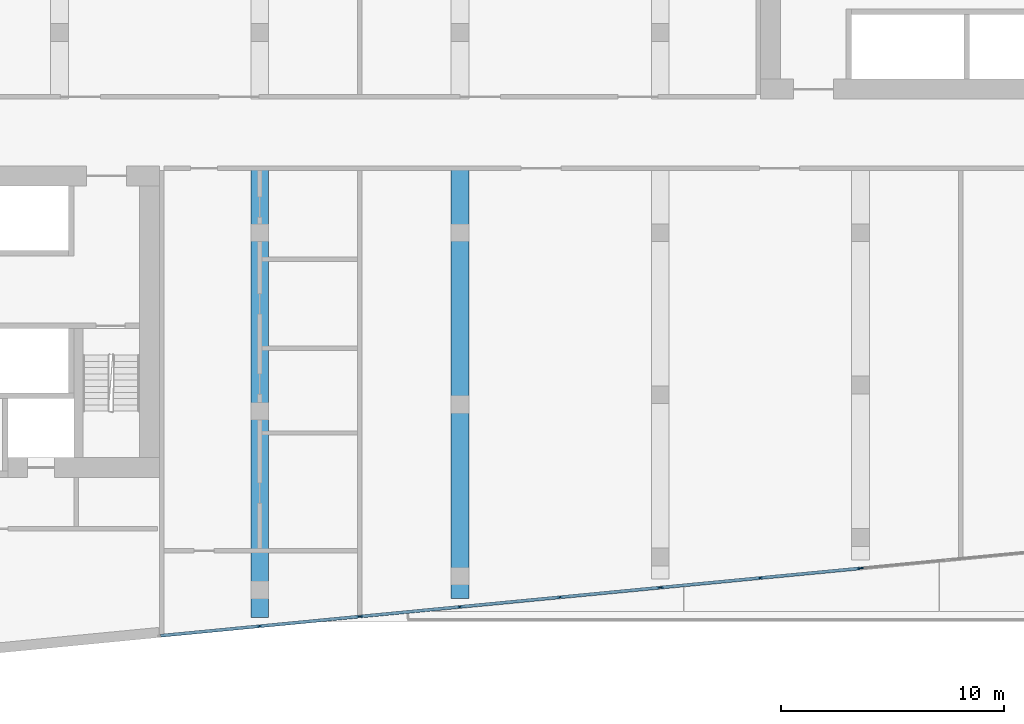
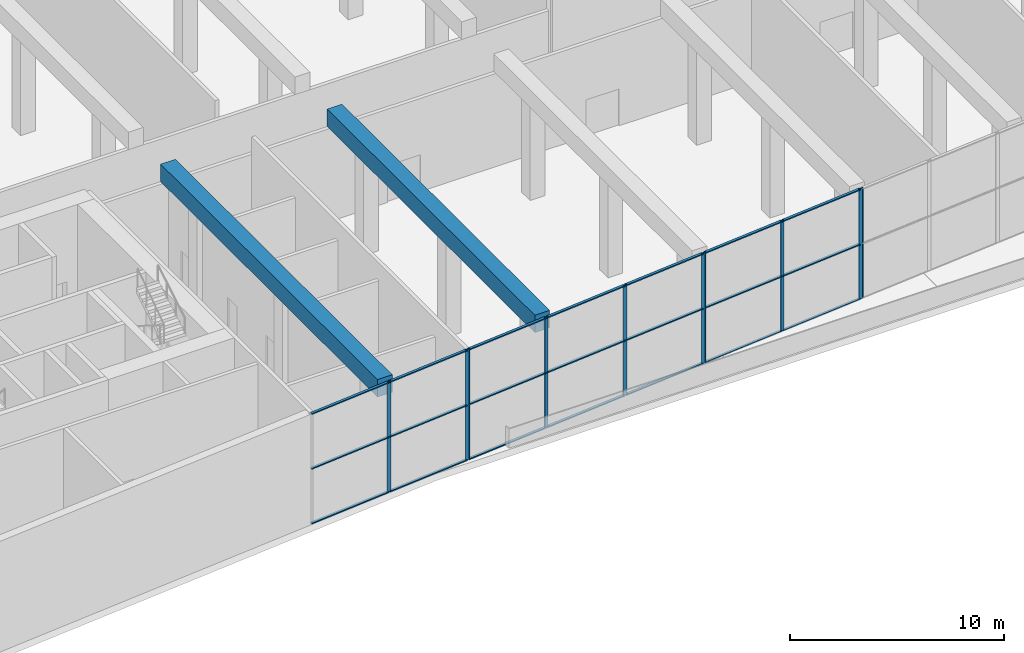
# One storey, part 3 of 25: 31 members, 2 beams, 4 elements without a shape of their own.
"""IFC4 building model written with IfcOpenShell, lengths in metres."""

from ifc_helpers import new_model, si_unit, direction, frame, origin, origin_2d, place, context, subcontext, project, spatial, rectangle, extrude, material, material_profile, profile_set, type_object, element, aggregate, save


model = new_model("IFC4")

# Units and contexts
model_context = context("Model", 3, precision=1e-05, world=origin(), true_north=direction((0.0, 1.0)))
body_context = subcontext(model_context, "Body", "Model", "MODEL_VIEW")
ifc_project = project(units=[si_unit("LENGTHUNIT", "METRE"), si_unit("AREAUNIT", "SQUARE_METRE"), si_unit("VOLUMEUNIT", "CUBIC_METRE"), si_unit("PLANEANGLEUNIT", "RADIAN"), si_unit("MASSUNIT", "GRAM", prefix="KILO")], contexts=[model_context])

# Site, building, storey
site_placement = place(None, origin())
site = spatial("IfcSite", under=ifc_project, at=site_placement, CompositionType="ELEMENT")
building_placement = place(site_placement, origin())
building = spatial("IfcBuilding", under=site, at=building_placement, Name="Kajstack Hotel Tower", CompositionType="ELEMENT")
storey_placement = place(building_placement, frame((0.0, 0.0, 104.199951171875)))
storey = spatial("IfcBuildingStorey", under=building, at=storey_placement, Name="L22", CompositionType="ELEMENT", Elevation=104.199951171875)

# Curtain wall, members
ifc_material_1 = material(Name="Aluminium-framed curtain wall, low-iron insulated glass", Category="aluminium")
curtain_wall_type = type_object("IfcCurtainWallType", Name="CW-GARDEN", PredefinedType="NOTDEFINED", material=ifc_material_1)
curtain_wall_1_placement = place(storey_placement, origin())
curtain_wall_1 = element("IfcCurtainWall", 1, at=curtain_wall_1_placement, inside=storey, type_object=curtain_wall_type, Name="Curtain wall CU6 L22-04-02-0", PredefinedType="NOTDEFINED")
ifc_material_2 = material(Name="Aluminium", Category="aluminium")
ifc_material_profile_1 = material_profile(ifc_material_2, rectangle(XDim=0.06005859375, YDim=0.199951171875, at=origin_2d()), Name="Aluminium mullion 60 x 200")
ifc_profile_set_1 = profile_set([ifc_material_profile_1], Name="Aluminium")
member_type_1 = type_object("IfcMemberType", Name="CW-M-GARDEN", PredefinedType="MULLION", material=ifc_profile_set_1)
member_1_placement = place(storey_placement, frame((-9.007080078125, -22.176513671875, 0.0), z_axis=(0.0, 0.0, 1.0), x_axis=(-0.095845530442, 0.995396219751, 0.0)))
member_1 = element("IfcMember", 2, at=member_1_placement, type_object=member_type_1, Name="CU6 mullion 2", PredefinedType="MULLION", context=body_context, shape_type="SweptSolid", body=[
    extrude(rectangle(XDim=0.06005859375, YDim=0.199951171875, at=origin_2d()), origin(), (0.0, 0.0, 1.0), 6.320068359375),
])
member_2_placement = place(storey_placement, frame((-4.537109375, -21.74609375, 0.0), z_axis=(0.0, 0.0, 1.0), x_axis=(-0.095845530442, 0.995396219751, 0.0)))
member_2 = element("IfcMember", 3, at=member_2_placement, type_object=member_type_1, Name="CU6 mullion 3", PredefinedType="MULLION", context=body_context, shape_type="SweptSolid", body=[
    extrude(rectangle(XDim=0.06005859375, YDim=0.199951171875, at=origin_2d()), origin(), (0.0, 0.0, 1.0), 6.320068359375),
])

curtain_wall_2_placement = place(storey_placement, origin())
curtain_wall_2 = element("IfcCurtainWall", 4, at=curtain_wall_2_placement, inside=storey, type_object=curtain_wall_type, Name="Curtain wall CU6 L22-04-02-1", PredefinedType="NOTDEFINED")
member_3_placement = place(storey_placement, frame((-4.477294921875, -21.740234375, 0.0), z_axis=(0.0, 0.0, 1.0), x_axis=(-0.095845577523, 0.995396215218, 0.0)))
member_3 = element("IfcMember", 5, at=member_3_placement, type_object=member_type_1, Name="CU6 mullion 1", PredefinedType="MULLION", context=body_context, shape_type="SweptSolid", body=[
    extrude(rectangle(XDim=0.06005859375, YDim=0.199951171875, at=origin_2d()), origin(), (0.0, 0.0, 1.0), 6.320068359375),
])
member_4_placement = place(storey_placement, frame((-0.00732421875, -21.309814453125, 0.0), z_axis=(0.0, 0.0, 1.0), x_axis=(-0.095845577523, 0.995396215218, 0.0)))
member_4 = element("IfcMember", 6, at=member_4_placement, type_object=member_type_1, Name="CU6 mullion 2", PredefinedType="MULLION", context=body_context, shape_type="SweptSolid", body=[
    extrude(rectangle(XDim=0.06005859375, YDim=0.199951171875, at=origin_2d()), origin(), (0.0, 0.0, 1.0), 6.320068359375),
])
member_5_placement = place(storey_placement, frame((4.49267578125, -20.876708984375, 0.0), z_axis=(0.0, 0.0, 1.0), x_axis=(-0.095845577523, 0.995396215218, 0.0)))
member_5 = element("IfcMember", 7, at=member_5_placement, type_object=member_type_1, Name="CU6 mullion 3", PredefinedType="MULLION", context=body_context, shape_type="SweptSolid", body=[
    extrude(rectangle(XDim=0.06005859375, YDim=0.199951171875, at=origin_2d()), origin(), (0.0, 0.0, 1.0), 6.320068359375),
])
member_6_placement = place(storey_placement, frame((8.962890625, -20.4462890625, 0.0), z_axis=(0.0, 0.0, 1.0), x_axis=(-0.095845577523, 0.995396215218, 0.0)))
member_6 = element("IfcMember", 8, at=member_6_placement, type_object=member_type_1, Name="CU6 mullion 4", PredefinedType="MULLION", context=body_context, shape_type="SweptSolid", body=[
    extrude(rectangle(XDim=0.06005859375, YDim=0.199951171875, at=origin_2d()), origin(), (0.0, 0.0, 1.0), 6.320068359375),
])

curtain_wall_3_placement = place(storey_placement, origin())
curtain_wall_3 = element("IfcCurtainWall", 9, at=curtain_wall_3_placement, inside=storey, type_object=curtain_wall_type, Name="Curtain wall CU6 L22-04-02-2", PredefinedType="NOTDEFINED")
member_7_placement = place(storey_placement, frame((9.022705078125, -20.4404296875, 0.0), z_axis=(0.0, 0.0, 1.0), x_axis=(-0.095845581657, 0.995396214819, 0.0)))
member_7 = element("IfcMember", 10, at=member_7_placement, type_object=member_type_1, Name="CU6 mullion 1", PredefinedType="MULLION", context=body_context, shape_type="SweptSolid", body=[
    extrude(rectangle(XDim=0.06005859375, YDim=0.199951171875, at=origin_2d()), origin(), (0.0, 0.0, 1.0), 6.320068359375),
])
member_8_placement = place(storey_placement, frame((13.492919921875, -20.010009765625, 0.0), z_axis=(0.0, 0.0, 1.0), x_axis=(-0.095845581657, 0.995396214819, 0.0)))
member_8 = element("IfcMember", 11, at=member_8_placement, type_object=member_type_1, Name="CU6 mullion 2", PredefinedType="MULLION", context=body_context, shape_type="SweptSolid", body=[
    extrude(rectangle(XDim=0.06005859375, YDim=0.199951171875, at=origin_2d()), origin(), (0.0, 0.0, 1.0), 6.320068359375),
])
member_9_placement = place(storey_placement, frame((17.962890625, -19.57958984375, 0.0), z_axis=(0.0, 0.0, 1.0), x_axis=(-0.095845581657, 0.995396214819, 0.0)))
member_9 = element("IfcMember", 12, at=member_9_placement, type_object=member_type_1, Name="CU6 mullion 3", PredefinedType="MULLION", context=body_context, shape_type="SweptSolid", body=[
    extrude(rectangle(XDim=0.06005859375, YDim=0.199951171875, at=origin_2d()), origin(), (0.0, 0.0, 1.0), 6.320068359375),
])

# Curtain wall, member
curtain_wall_4_placement = place(storey_placement, origin())
curtain_wall_4 = element("IfcCurtainWall", 13, at=curtain_wall_4_placement, inside=storey, type_object=curtain_wall_type, Name="Curtain wall CU6 L22-04-02-3", PredefinedType="NOTDEFINED")
member_10_placement = place(storey_placement, frame((18.022705078125, -19.57373046875, 0.0), z_axis=(0.0, 0.0, 1.0), x_axis=(-0.095845579329, 0.995396215044, 0.0)))
member_10 = element("IfcMember", 14, at=member_10_placement, type_object=member_type_1, Name="CU6 mullion 1", PredefinedType="MULLION", context=body_context, shape_type="SweptSolid", body=[
    extrude(rectangle(XDim=0.06005859375, YDim=0.199951171875, at=origin_2d()), origin(), (0.0, 0.0, 1.0), 6.320068359375),
])
aggregate(curtain_wall_4, [member_10])

# Member
ifc_material_profile_2 = material_profile(ifc_material_2, rectangle(XDim=0.139892578125, YDim=0.06005859375, at=origin_2d()), Name="Aluminium transom 140 x 60")
ifc_profile_set_2 = profile_set([ifc_material_profile_2], Name="Aluminium")
member_type_2 = type_object("IfcMemberType", Name="CW-T-GARDEN", PredefinedType="USERDEFINED", material=ifc_profile_set_2)
member_11_placement = place(storey_placement, frame((-13.447509765625, -22.60400390625, 0.030029296875), z_axis=(0.995398624916, 0.095820548504, 0.0), x_axis=(-0.095820548504, 0.995398624916, 0.0)))
member_11 = element("IfcMember", 15, at=member_11_placement, type_object=member_type_2, Name="CU6 transom 1.1", ObjectType="TRANSOM", PredefinedType="USERDEFINED", context=body_context, shape_type="SweptSolid", body=[
    extrude(rectangle(XDim=0.139892578125, YDim=0.06005859375, at=origin_2d()), origin(), (0.0, 0.0, 1.0), 4.430908203125),
])

member_12_placement = place(storey_placement, frame((-13.447509765625, -22.60400390625, 3.16015625), z_axis=(0.995398624916, 0.095820548504, 0.0), x_axis=(-0.095820548504, 0.995398624916, 0.0)))
member_12 = element("IfcMember", 16, at=member_12_placement, type_object=member_type_2, Name="CU6 transom 1.2", ObjectType="TRANSOM", PredefinedType="USERDEFINED", context=body_context, shape_type="SweptSolid", body=[
    extrude(rectangle(XDim=0.139892578125, YDim=0.06005859375, at=origin_2d()), origin(), (0.0, 0.0, 1.0), 4.430908203125),
])

member_13_placement = place(storey_placement, frame((-13.447509765625, -22.60400390625, 6.2900390625), z_axis=(0.995398624916, 0.095820548504, 0.0), x_axis=(-0.095820548504, 0.995398624916, 0.0)))
member_13 = element("IfcMember", 17, at=member_13_placement, type_object=member_type_2, Name="CU6 transom 1.3", ObjectType="TRANSOM", PredefinedType="USERDEFINED", context=body_context, shape_type="SweptSolid", body=[
    extrude(rectangle(XDim=0.139892578125, YDim=0.06005859375, at=origin_2d()), origin(), (0.0, 0.0, 1.0), 4.430908203125),
])

member_14_placement = place(storey_placement, frame((-8.977294921875, -22.173583984375, 0.030029296875), z_axis=(0.995398624916, 0.095820548504, 0.0), x_axis=(-0.095820548504, 0.995398624916, 0.0)))
member_14 = element("IfcMember", 18, at=member_14_placement, type_object=member_type_2, Name="CU6 transom 2.1", ObjectType="TRANSOM", PredefinedType="USERDEFINED", context=body_context, shape_type="SweptSolid", body=[
    extrude(rectangle(XDim=0.139892578125, YDim=0.06005859375, at=origin_2d()), origin(), (0.0, 0.0, 1.0), 4.430908203125),
])

member_15_placement = place(storey_placement, frame((-8.977294921875, -22.173583984375, 3.16015625), z_axis=(0.995398624916, 0.095820548504, 0.0), x_axis=(-0.095820548504, 0.995398624916, 0.0)))
member_15 = element("IfcMember", 19, at=member_15_placement, type_object=member_type_2, Name="CU6 transom 2.2", ObjectType="TRANSOM", PredefinedType="USERDEFINED", context=body_context, shape_type="SweptSolid", body=[
    extrude(rectangle(XDim=0.139892578125, YDim=0.06005859375, at=origin_2d()), origin(), (0.0, 0.0, 1.0), 4.430908203125),
])

member_16_placement = place(storey_placement, frame((-8.977294921875, -22.173583984375, 6.2900390625), z_axis=(0.995398624916, 0.095820548504, 0.0), x_axis=(-0.095820548504, 0.995398624916, 0.0)))
member_16 = element("IfcMember", 20, at=member_16_placement, type_object=member_type_2, Name="CU6 transom 2.3", ObjectType="TRANSOM", PredefinedType="USERDEFINED", context=body_context, shape_type="SweptSolid", body=[
    extrude(rectangle(XDim=0.139892578125, YDim=0.06005859375, at=origin_2d()), origin(), (0.0, 0.0, 1.0), 4.430908203125),
])

aggregate(curtain_wall_1, [member_1, member_2, member_11, member_12, member_13, member_14, member_15, member_16])

member_17_placement = place(storey_placement, frame((-4.447509765625, -21.737548828125, 0.030029296875), z_axis=(0.995393367938, 0.095875143106, 0.0), x_axis=(-0.095875143106, 0.995393367938, 0.0)))
member_17 = element("IfcMember", 21, at=member_17_placement, type_object=member_type_2, Name="CU6 transom 1.1", ObjectType="TRANSOM", PredefinedType="USERDEFINED", context=body_context, shape_type="SweptSolid", body=[
    extrude(rectangle(XDim=0.139892578125, YDim=0.06005859375, at=origin_2d()), origin(), (0.0, 0.0, 1.0), 4.430908203125),
])

member_18_placement = place(storey_placement, frame((-4.447509765625, -21.737548828125, 3.16015625), z_axis=(0.995393367938, 0.095875143106, 0.0), x_axis=(-0.095875143106, 0.995393367938, 0.0)))
member_18 = element("IfcMember", 22, at=member_18_placement, type_object=member_type_2, Name="CU6 transom 1.2", ObjectType="TRANSOM", PredefinedType="USERDEFINED", context=body_context, shape_type="SweptSolid", body=[
    extrude(rectangle(XDim=0.139892578125, YDim=0.06005859375, at=origin_2d()), origin(), (0.0, 0.0, 1.0), 4.430908203125),
])

member_19_placement = place(storey_placement, frame((-4.447509765625, -21.737548828125, 6.2900390625), z_axis=(0.995393367938, 0.095875143106, 0.0), x_axis=(-0.095875143106, 0.995393367938, 0.0)))
member_19 = element("IfcMember", 23, at=member_19_placement, type_object=member_type_2, Name="CU6 transom 1.3", ObjectType="TRANSOM", PredefinedType="USERDEFINED", context=body_context, shape_type="SweptSolid", body=[
    extrude(rectangle(XDim=0.139892578125, YDim=0.06005859375, at=origin_2d()), origin(), (0.0, 0.0, 1.0), 4.430908203125),
])

member_20_placement = place(storey_placement, frame((0.022705078125, -21.30712890625, 0.030029296875), z_axis=(0.995392066753, 0.095888651287, 0.0), x_axis=(-0.095888651287, 0.995392066753, 0.0)))
member_20 = element("IfcMember", 24, at=member_20_placement, type_object=member_type_2, Name="CU6 transom 2.1", ObjectType="TRANSOM", PredefinedType="USERDEFINED", context=body_context, shape_type="SweptSolid", body=[
    extrude(rectangle(XDim=0.139892578125, YDim=0.06005859375, at=origin_2d()), origin(), (0.0, 0.0, 1.0), 4.460693359375),
])

member_21_placement = place(storey_placement, frame((0.022705078125, -21.30712890625, 3.16015625), z_axis=(0.995392066753, 0.095888651287, 0.0), x_axis=(-0.095888651287, 0.995392066753, 0.0)))
member_21 = element("IfcMember", 25, at=member_21_placement, type_object=member_type_2, Name="CU6 transom 2.2", ObjectType="TRANSOM", PredefinedType="USERDEFINED", context=body_context, shape_type="SweptSolid", body=[
    extrude(rectangle(XDim=0.139892578125, YDim=0.06005859375, at=origin_2d()), origin(), (0.0, 0.0, 1.0), 4.460693359375),
])

member_22_placement = place(storey_placement, frame((0.022705078125, -21.30712890625, 6.2900390625), z_axis=(0.995392066753, 0.095888651287, 0.0), x_axis=(-0.095888651287, 0.995392066753, 0.0)))
member_22 = element("IfcMember", 26, at=member_22_placement, type_object=member_type_2, Name="CU6 transom 2.3", ObjectType="TRANSOM", PredefinedType="USERDEFINED", context=body_context, shape_type="SweptSolid", body=[
    extrude(rectangle(XDim=0.139892578125, YDim=0.06005859375, at=origin_2d()), origin(), (0.0, 0.0, 1.0), 4.460693359375),
])

member_23_placement = place(storey_placement, frame((4.522705078125, -20.873779296875, 0.030029296875), z_axis=(0.995393367938, 0.095875143106, 0.0), x_axis=(-0.095875143106, 0.995393367938, 0.0)))
member_23 = element("IfcMember", 27, at=member_23_placement, type_object=member_type_2, Name="CU6 transom 3.1", ObjectType="TRANSOM", PredefinedType="USERDEFINED", context=body_context, shape_type="SweptSolid", body=[
    extrude(rectangle(XDim=0.139892578125, YDim=0.06005859375, at=origin_2d()), origin(), (0.0, 0.0, 1.0), 4.430908203125),
])

member_24_placement = place(storey_placement, frame((4.522705078125, -20.873779296875, 3.16015625), z_axis=(0.995393367938, 0.095875143106, 0.0), x_axis=(-0.095875143106, 0.995393367938, 0.0)))
member_24 = element("IfcMember", 28, at=member_24_placement, type_object=member_type_2, Name="CU6 transom 3.2", ObjectType="TRANSOM", PredefinedType="USERDEFINED", context=body_context, shape_type="SweptSolid", body=[
    extrude(rectangle(XDim=0.139892578125, YDim=0.06005859375, at=origin_2d()), origin(), (0.0, 0.0, 1.0), 4.430908203125),
])

member_25_placement = place(storey_placement, frame((4.522705078125, -20.873779296875, 6.2900390625), z_axis=(0.995393367938, 0.095875143106, 0.0), x_axis=(-0.095875143106, 0.995393367938, 0.0)))
member_25 = element("IfcMember", 29, at=member_25_placement, type_object=member_type_2, Name="CU6 transom 3.3", ObjectType="TRANSOM", PredefinedType="USERDEFINED", context=body_context, shape_type="SweptSolid", body=[
    extrude(rectangle(XDim=0.139892578125, YDim=0.06005859375, at=origin_2d()), origin(), (0.0, 0.0, 1.0), 4.430908203125),
])

aggregate(curtain_wall_2, [member_3, member_4, member_5, member_6, member_17, member_18, member_19, member_20, member_21, member_22, member_23, member_24, member_25])

member_26_placement = place(storey_placement, frame((9.052490234375, -20.4375, 0.030029296875), z_axis=(0.995398624916, 0.095820548504, 0.0), x_axis=(-0.095820548504, 0.995398624916, 0.0)))
member_26 = element("IfcMember", 30, at=member_26_placement, type_object=member_type_2, Name="CU6 transom 1.1", ObjectType="TRANSOM", PredefinedType="USERDEFINED", context=body_context, shape_type="SweptSolid", body=[
    extrude(rectangle(XDim=0.139892578125, YDim=0.06005859375, at=origin_2d()), origin(), (0.0, 0.0, 1.0), 4.430908203125),
])

member_27_placement = place(storey_placement, frame((9.052490234375, -20.4375, 3.16015625), z_axis=(0.995398624916, 0.095820548504, 0.0), x_axis=(-0.095820548504, 0.995398624916, 0.0)))
member_27 = element("IfcMember", 31, at=member_27_placement, type_object=member_type_2, Name="CU6 transom 1.2", ObjectType="TRANSOM", PredefinedType="USERDEFINED", context=body_context, shape_type="SweptSolid", body=[
    extrude(rectangle(XDim=0.139892578125, YDim=0.06005859375, at=origin_2d()), origin(), (0.0, 0.0, 1.0), 4.430908203125),
])

member_28_placement = place(storey_placement, frame((9.052490234375, -20.4375, 6.2900390625), z_axis=(0.995398624916, 0.095820548504, 0.0), x_axis=(-0.095820548504, 0.995398624916, 0.0)))
member_28 = element("IfcMember", 32, at=member_28_placement, type_object=member_type_2, Name="CU6 transom 1.3", ObjectType="TRANSOM", PredefinedType="USERDEFINED", context=body_context, shape_type="SweptSolid", body=[
    extrude(rectangle(XDim=0.139892578125, YDim=0.06005859375, at=origin_2d()), origin(), (0.0, 0.0, 1.0), 4.430908203125),
])

member_29_placement = place(storey_placement, frame((13.522705078125, -20.007080078125, 0.030029296875), z_axis=(0.995398624916, 0.095820548504, 0.0), x_axis=(-0.095820548504, 0.995398624916, 0.0)))
member_29 = element("IfcMember", 33, at=member_29_placement, type_object=member_type_2, Name="CU6 transom 2.1", ObjectType="TRANSOM", PredefinedType="USERDEFINED", context=body_context, shape_type="SweptSolid", body=[
    extrude(rectangle(XDim=0.139892578125, YDim=0.06005859375, at=origin_2d()), origin(), (0.0, 0.0, 1.0), 4.430908203125),
])

member_30_placement = place(storey_placement, frame((13.522705078125, -20.007080078125, 3.16015625), z_axis=(0.995398624916, 0.095820548504, 0.0), x_axis=(-0.095820548504, 0.995398624916, 0.0)))
member_30 = element("IfcMember", 34, at=member_30_placement, type_object=member_type_2, Name="CU6 transom 2.2", ObjectType="TRANSOM", PredefinedType="USERDEFINED", context=body_context, shape_type="SweptSolid", body=[
    extrude(rectangle(XDim=0.139892578125, YDim=0.06005859375, at=origin_2d()), origin(), (0.0, 0.0, 1.0), 4.430908203125),
])

member_31_placement = place(storey_placement, frame((13.522705078125, -20.007080078125, 6.2900390625), z_axis=(0.995398624916, 0.095820548504, 0.0), x_axis=(-0.095820548504, 0.995398624916, 0.0)))
member_31 = element("IfcMember", 35, at=member_31_placement, type_object=member_type_2, Name="CU6 transom 2.3", ObjectType="TRANSOM", PredefinedType="USERDEFINED", context=body_context, shape_type="SweptSolid", body=[
    extrude(rectangle(XDim=0.139892578125, YDim=0.06005859375, at=origin_2d()), origin(), (0.0, 0.0, 1.0), 4.430908203125),
])

aggregate(curtain_wall_3, [member_7, member_8, member_9, member_26, member_27, member_28, member_29, member_30, member_31])

# Beams
ifc_material_3 = material(Name="Concrete C60/75", Category="concrete")
ifc_material_profile_3 = material_profile(ifc_material_3, rectangle(XDim=0.800048828125, YDim=1.0, at=origin_2d()), Name="RC 800x1000")
ifc_profile_set_3 = profile_set([ifc_material_profile_3], Name="Concrete C60/75")
beam_type = type_object("IfcBeamType", Name="TG2 RC 800x1000 C60/75", PredefinedType="BEAM", material=ifc_profile_set_3)
beam_1_placement = place(storey_placement, frame((-9.0, -21.799072265625, 5.820068359375), z_axis=(0.0, 1.0, 0.0), x_axis=(-1.0, 0.0, 0.0)))
element("IfcBeam", 36, at=beam_1_placement, inside=storey, type_object=beam_type, Name="S-girder-L22--9p0-1", PredefinedType="BEAM", context=body_context, shape_type="SweptSolid", body=[
    extrude(rectangle(XDim=0.800048828125, YDim=1.0, at=origin_2d()), origin(), (0.0, 0.0, 1.0), 20.299072265625),
])
beam_2_placement = place(storey_placement, frame((0.0, -20.9326171875, 5.820068359375), z_axis=(0.0, 1.0, 0.0), x_axis=(-1.0, 0.0, 0.0)))
element("IfcBeam", 37, at=beam_2_placement, inside=storey, type_object=beam_type, Name="S-girder-L22-+0p0-1", PredefinedType="BEAM", context=body_context, shape_type="SweptSolid", body=[
    extrude(rectangle(XDim=0.800048828125, YDim=1.0, at=origin_2d()), origin(), (0.0, 0.0, 1.0), 19.4326171875),
])

save(model, "model.ifc")
